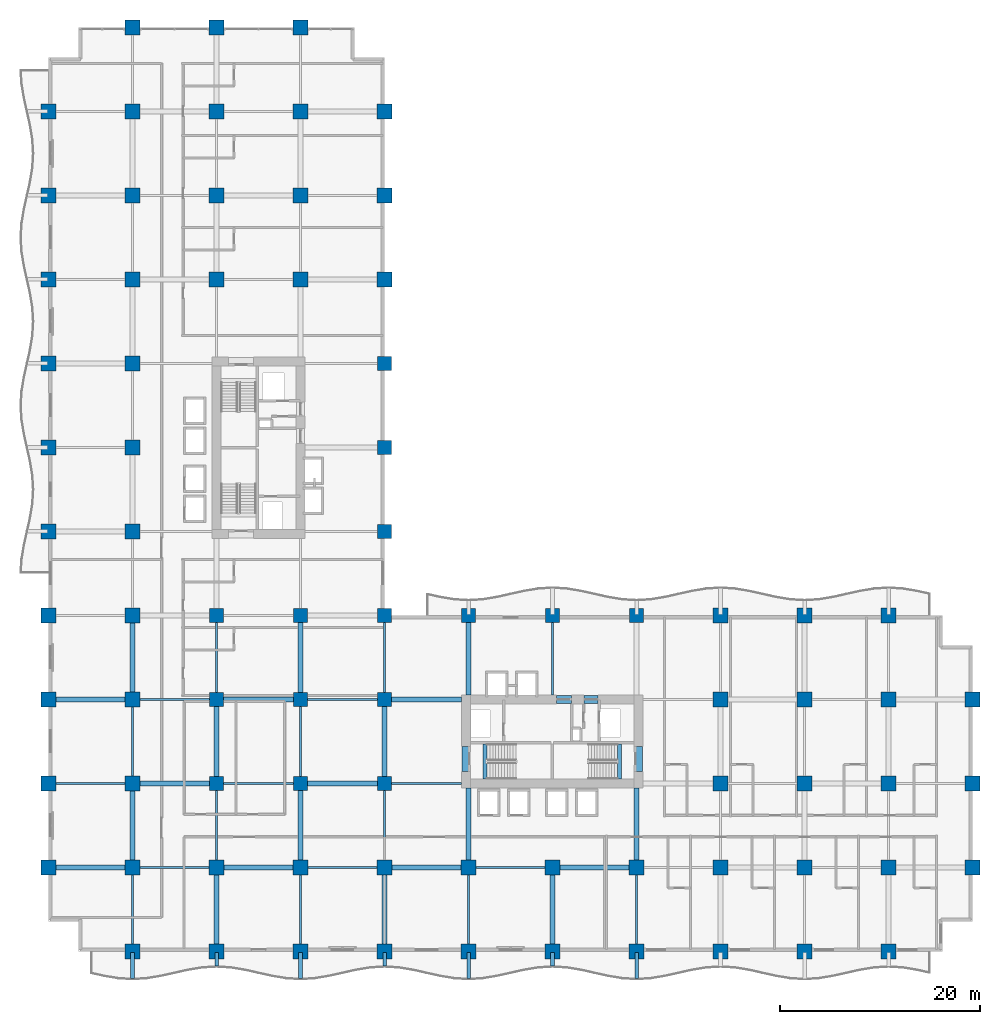
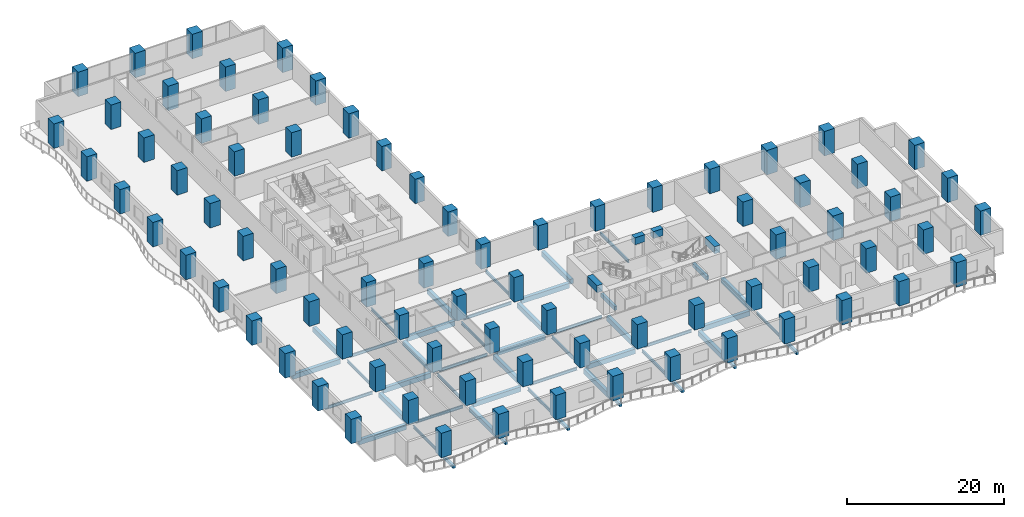
# One storey, part 1 of 21: 78 columns, 53 beams.
"""IFC4 building model written with IfcOpenShell, lengths in metres."""

from ifc_helpers import new_model, si_unit, direction, frame, origin, origin_2d, place, context, subcontext, project, spatial, rectangle, i_section, extrude, material, material_profile, profile_set, type_object, element, save


model = new_model("IFC4")

# Units and contexts
model_context = context("Model", 3, precision=1e-05, world=origin(), true_north=direction((0.0, 1.0)))
body_context = subcontext(model_context, "Body", "Model", "MODEL_VIEW")
ifc_project = project(units=[si_unit("LENGTHUNIT", "METRE"), si_unit("AREAUNIT", "SQUARE_METRE"), si_unit("VOLUMEUNIT", "CUBIC_METRE"), si_unit("PLANEANGLEUNIT", "RADIAN"), si_unit("MASSUNIT", "GRAM", prefix="KILO")], contexts=[model_context])

# Site, building, storey
site_placement = place(None, origin())
site = spatial("IfcSite", under=ifc_project, at=site_placement, CompositionType="ELEMENT")
building_placement = place(site_placement, origin())
building = spatial("IfcBuilding", under=site, at=building_placement, Name="Koriwani Terraces Tower", CompositionType="ELEMENT")
storey_placement = place(building_placement, frame((0.0, 0.0, 77.60009765625)))
storey = spatial("IfcBuildingStorey", under=building, at=storey_placement, Name="L18", CompositionType="ELEMENT", Elevation=77.60009765625)

# Columns
ifc_material_1 = material(Name="Concrete C60/75", Category="concrete")
ifc_material_profile_1 = material_profile(ifc_material_1, rectangle(XDim=1.39990234375, YDim=1.39990234375, at=origin_2d()), Name="Concrete C60/75", Category="LoadBearing")
ifc_profile_set_1 = profile_set([ifc_material_profile_1], Name="Concrete C60/75")
column_type_1 = type_object("IfcColumnType", Name="COL_RC_1400X1400", PredefinedType="COLUMN", material=ifc_profile_set_1)
for number, where, z_axis, x_axis, name in (
    (1, (16.800048828125, 16.800048828125, 0.0), (0.0, 0.0, 1.0), (1.0, 0.0, 0.0), "L18 Column 3/C"),
    (2, (16.800048828125, 25.199951171875, 0.0), (0.0, 0.0, 1.0), (1.0, 0.0, 0.0), "L18 Column 3/D"),
    (3, (16.800048828125, 33.60009765625, 0.0), (0.0, 0.0, 1.0), (1.0, 0.0, 0.0), "L18 Column 3/E"),
    (4, (25.199951171875, 16.800048828125, 0.0), (0.0, 0.0, 1.0), (1.0, 0.0, 0.0), "L18 Column 4/C"),
    (5, (25.199951171875, 25.199951171875, 0.0), (0.0, 0.0, 1.0), (1.0, 0.0, 0.0), "L18 Column 4/D"),
    (6, (25.199951171875, 33.60009765625, 0.0), (0.0, 0.0, 1.0), (1.0, 0.0, 0.0), "L18 Column 4/E"),
    (7, (33.60009765625, 16.800048828125, 0.0), (0.0, 0.0, 1.0), (1.0, 0.0, 0.0), "L18 Column 5/C"),
    (8, (33.60009765625, 25.199951171875, 0.0), (0.0, 0.0, 1.0), (1.0, 0.0, 0.0), "L18 Column 5/D"),
    (9, (33.60009765625, 33.60009765625, 0.0), (0.0, 0.0, 1.0), (1.0, 0.0, 0.0), "L18 Column 5/E"),
    (10, (33.60009765625, 42.0, 0.0), (0.0, 0.0, 1.0), (1.0, 0.0, 0.0), "L18 Column 5/F"),
    (11, (33.60009765625, 50.39990234375, 0.0), (0.0, 0.0, 1.0), (1.0, 0.0, 0.0), "L18 Column 5/G"),
    (12, (33.60009765625, 58.800048828125, 0.0), (0.0, 0.0, 1.0), (1.0, 0.0, 0.0), "L18 Column 5/H"),
    (13, (42.0, 33.60009765625, 0.0), (0.0, 0.0, 1.0), (1.0, 0.0, 0.0), "L18 Column 6/E"),
    (14, (50.39990234375, 33.60009765625, 0.0), (0.0, 0.0, 1.0), (1.0, 0.0, 0.0), "L18 Column 7/E"),
    (15, (58.800048828125, 33.60009765625, 0.0), (0.0, 0.0, 1.0), (1.0, 0.0, 0.0), "L18 Column 8/E"),
):
    element("IfcColumn", number, at=place(storey_placement, frame(where, z_axis=z_axis, x_axis=x_axis)), inside=storey, type_object=column_type_1, Name=name, PredefinedType="COLUMN", context=body_context, shape_type="SweptSolid", body=[
        extrude(rectangle(XDim=1.39990234375, YDim=1.39990234375, at=origin_2d()), origin(), (0.0, 0.0, 1.0), 3.7998046875),
    ])
ifc_material_profile_2 = material_profile(ifc_material_1, rectangle(XDim=1.5, YDim=1.5, at=origin_2d()), Name="Concrete C60/75", Category="LoadBearing")
ifc_profile_set_2 = profile_set([ifc_material_profile_2], Name="Concrete C60/75")
column_type_2 = type_object("IfcColumnType", Name="COL_RC_1500X1500", PredefinedType="COLUMN", material=ifc_profile_set_2)
for number, where, z_axis, x_axis, name in (
    (16, (0.0, 8.39990234375, 0.0), (0.0, 0.0, 1.0), (1.0, 0.0, 0.0), "L18 Column 1/B"),
    (17, (0.0, 16.800048828125, 0.0), (0.0, 0.0, 1.0), (1.0, 0.0, 0.0), "L18 Column 1/C"),
    (18, (0.0, 25.199951171875, 0.0), (0.0, 0.0, 1.0), (1.0, 0.0, 0.0), "L18 Column 1/D"),
    (19, (0.0, 33.60009765625, 0.0), (0.0, 0.0, 1.0), (1.0, 0.0, 0.0), "L18 Column 1/E"),
    (20, (0.0, 42.0, 0.0), (0.0, 0.0, 1.0), (1.0, 0.0, 0.0), "L18 Column 1/F"),
    (21, (0.0, 50.39990234375, 0.0), (0.0, 0.0, 1.0), (1.0, 0.0, 0.0), "L18 Column 1/G"),
    (22, (0.0, 58.800048828125, 0.0), (0.0, 0.0, 1.0), (1.0, 0.0, 0.0), "L18 Column 1/H"),
    (23, (0.0, 67.199951171875, 0.0), (0.0, 0.0, 1.0), (1.0, 0.0, 0.0), "L18 Column 1/I"),
    (24, (0.0, 75.60009765625, 0.0), (0.0, 0.0, 1.0), (1.0, 0.0, 0.0), "L18 Column 1/J"),
    (25, (0.0, 84.0, 0.0), (0.0, 0.0, 1.0), (1.0, 0.0, 0.0), "L18 Column 1/K"),
    (26, (8.39990234375, 0.0, 0.0), (0.0, 0.0, 1.0), (1.0, 0.0, 0.0), "L18 Column 2/A"),
    (27, (8.39990234375, 8.39990234375, 0.0), (0.0, 0.0, 1.0), (1.0, 0.0, 0.0), "L18 Column 2/B"),
    (28, (8.39990234375, 16.800048828125, 0.0), (0.0, 0.0, 1.0), (1.0, 0.0, 0.0), "L18 Column 2/C"),
    (29, (8.39990234375, 25.199951171875, 0.0), (0.0, 0.0, 1.0), (1.0, 0.0, 0.0), "L18 Column 2/D"),
    (30, (8.39990234375, 33.60009765625, 0.0), (0.0, 0.0, 1.0), (1.0, 0.0, 0.0), "L18 Column 2/E"),
    (31, (8.39990234375, 42.0, 0.0), (0.0, 0.0, 1.0), (1.0, 0.0, 0.0), "L18 Column 2/F"),
    (32, (8.39990234375, 50.39990234375, 0.0), (0.0, 0.0, 1.0), (1.0, 0.0, 0.0), "L18 Column 2/G"),
    (33, (8.39990234375, 58.800048828125, 0.0), (0.0, 0.0, 1.0), (1.0, 0.0, 0.0), "L18 Column 2/H"),
    (34, (8.39990234375, 67.199951171875, 0.0), (0.0, 0.0, 1.0), (1.0, 0.0, 0.0), "L18 Column 2/I"),
    (35, (8.39990234375, 75.60009765625, 0.0), (0.0, 0.0, 1.0), (1.0, 0.0, 0.0), "L18 Column 2/J"),
    (36, (8.39990234375, 84.0, 0.0), (0.0, 0.0, 1.0), (1.0, 0.0, 0.0), "L18 Column 2/K"),
    (37, (8.39990234375, 92.39990234375, 0.0), (0.0, 0.0, 1.0), (1.0, 0.0, 0.0), "L18 Column 2/L"),
    (38, (16.800048828125, 0.0, 0.0), (0.0, 0.0, 1.0), (1.0, 0.0, 0.0), "L18 Column 3/A"),
    (39, (16.800048828125, 8.39990234375, 0.0), (0.0, 0.0, 1.0), (1.0, 0.0, 0.0), "L18 Column 3/B"),
    (40, (16.800048828125, 67.199951171875, 0.0), (0.0, 0.0, 1.0), (1.0, 0.0, 0.0), "L18 Column 3/I"),
    (41, (16.800048828125, 75.60009765625, 0.0), (0.0, 0.0, 1.0), (1.0, 0.0, 0.0), "L18 Column 3/J"),
    (42, (16.800048828125, 84.0, 0.0), (0.0, 0.0, 1.0), (1.0, 0.0, 0.0), "L18 Column 3/K"),
    (43, (16.800048828125, 92.39990234375, 0.0), (0.0, 0.0, 1.0), (1.0, 0.0, 0.0), "L18 Column 3/L"),
    (44, (25.199951171875, 0.0, 0.0), (0.0, 0.0, 1.0), (1.0, 0.0, 0.0), "L18 Column 4/A"),
    (45, (25.199951171875, 8.39990234375, 0.0), (0.0, 0.0, 1.0), (1.0, 0.0, 0.0), "L18 Column 4/B"),
    (46, (25.199951171875, 67.199951171875, 0.0), (0.0, 0.0, 1.0), (1.0, 0.0, 0.0), "L18 Column 4/I"),
    (47, (25.199951171875, 75.60009765625, 0.0), (0.0, 0.0, 1.0), (1.0, 0.0, 0.0), "L18 Column 4/J"),
    (48, (25.199951171875, 84.0, 0.0), (0.0, 0.0, 1.0), (1.0, 0.0, 0.0), "L18 Column 4/K"),
    (49, (25.199951171875, 92.39990234375, 0.0), (0.0, 0.0, 1.0), (1.0, 0.0, 0.0), "L18 Column 4/L"),
    (50, (33.60009765625, 0.0, 0.0), (0.0, 0.0, 1.0), (1.0, 0.0, 0.0), "L18 Column 5/A"),
    (51, (33.60009765625, 8.39990234375, 0.0), (0.0, 0.0, 1.0), (1.0, 0.0, 0.0), "L18 Column 5/B"),
    (52, (33.60009765625, 67.199951171875, 0.0), (0.0, 0.0, 1.0), (1.0, 0.0, 0.0), "L18 Column 5/I"),
    (53, (33.60009765625, 75.60009765625, 0.0), (0.0, 0.0, 1.0), (1.0, 0.0, 0.0), "L18 Column 5/J"),
    (54, (33.60009765625, 84.0, 0.0), (0.0, 0.0, 1.0), (1.0, 0.0, 0.0), "L18 Column 5/K"),
    (55, (42.0, 0.0, 0.0), (0.0, 0.0, 1.0), (1.0, 0.0, 0.0), "L18 Column 6/A"),
    (56, (42.0, 8.39990234375, 0.0), (0.0, 0.0, 1.0), (1.0, 0.0, 0.0), "L18 Column 6/B"),
    (57, (50.39990234375, 0.0, 0.0), (0.0, 0.0, 1.0), (1.0, 0.0, 0.0), "L18 Column 7/A"),
    (58, (50.39990234375, 8.39990234375, 0.0), (0.0, 0.0, 1.0), (1.0, 0.0, 0.0), "L18 Column 7/B"),
    (59, (58.800048828125, 0.0, 0.0), (0.0, 0.0, 1.0), (1.0, 0.0, 0.0), "L18 Column 8/A"),
    (60, (58.800048828125, 8.39990234375, 0.0), (0.0, 0.0, 1.0), (1.0, 0.0, 0.0), "L18 Column 8/B"),
    (61, (67.199951171875, 0.0, 0.0), (0.0, 0.0, 1.0), (1.0, 0.0, 0.0), "L18 Column 9/A"),
    (62, (67.199951171875, 8.39990234375, 0.0), (0.0, 0.0, 1.0), (1.0, 0.0, 0.0), "L18 Column 9/B"),
    (63, (67.199951171875, 16.800048828125, 0.0), (0.0, 0.0, 1.0), (1.0, 0.0, 0.0), "L18 Column 9/C"),
    (64, (67.199951171875, 25.199951171875, 0.0), (0.0, 0.0, 1.0), (1.0, 0.0, 0.0), "L18 Column 9/D"),
    (65, (67.199951171875, 33.60009765625, 0.0), (0.0, 0.0, 1.0), (1.0, 0.0, 0.0), "L18 Column 9/E"),
    (66, (75.60009765625, 0.0, 0.0), (0.0, 0.0, 1.0), (1.0, 0.0, 0.0), "L18 Column 10/A"),
    (67, (75.60009765625, 8.39990234375, 0.0), (0.0, 0.0, 1.0), (1.0, 0.0, 0.0), "L18 Column 10/B"),
    (68, (75.60009765625, 16.800048828125, 0.0), (0.0, 0.0, 1.0), (1.0, 0.0, 0.0), "L18 Column 10/C"),
    (69, (75.60009765625, 25.199951171875, 0.0), (0.0, 0.0, 1.0), (1.0, 0.0, 0.0), "L18 Column 10/D"),
    (70, (75.60009765625, 33.60009765625, 0.0), (0.0, 0.0, 1.0), (1.0, 0.0, 0.0), "L18 Column 10/E"),
    (71, (84.0, 0.0, 0.0), (0.0, 0.0, 1.0), (1.0, 0.0, 0.0), "L18 Column 11/A"),
    (72, (84.0, 8.39990234375, 0.0), (0.0, 0.0, 1.0), (1.0, 0.0, 0.0), "L18 Column 11/B"),
    (73, (84.0, 16.800048828125, 0.0), (0.0, 0.0, 1.0), (1.0, 0.0, 0.0), "L18 Column 11/C"),
    (74, (84.0, 25.199951171875, 0.0), (0.0, 0.0, 1.0), (1.0, 0.0, 0.0), "L18 Column 11/D"),
    (75, (84.0, 33.60009765625, 0.0), (0.0, 0.0, 1.0), (1.0, 0.0, 0.0), "L18 Column 11/E"),
    (76, (92.39990234375, 8.39990234375, 0.0), (0.0, 0.0, 1.0), (1.0, 0.0, 0.0), "L18 Column 12/B"),
    (77, (92.39990234375, 16.800048828125, 0.0), (0.0, 0.0, 1.0), (1.0, 0.0, 0.0), "L18 Column 12/C"),
    (78, (92.39990234375, 25.199951171875, 0.0), (0.0, 0.0, 1.0), (1.0, 0.0, 0.0), "L18 Column 12/D"),
):
    element("IfcColumn", number, at=place(storey_placement, frame(where, z_axis=z_axis, x_axis=x_axis)), inside=storey, type_object=column_type_2, Name=name, PredefinedType="COLUMN", context=body_context, shape_type="SweptSolid", body=[
        extrude(rectangle(XDim=1.5, YDim=1.5, at=origin_2d()), origin(), (0.0, 0.0, 1.0), 3.7998046875),
    ])

# Beams
ifc_material_2 = material(Name="Concrete C40/50", Category="concrete")
ifc_material_profile_3 = material_profile(ifc_material_2, rectangle(XDim=0.35009765625, YDim=0.449951171875, at=origin_2d()), Name="Concrete C40/50", Category="LoadBearing")
ifc_profile_set_3 = profile_set([ifc_material_profile_3], Name="Concrete C40/50")
beam_type_1 = type_object("IfcBeamType", Name="BEAM_RC_BALCONY_RIB_350X450", PredefinedType="JOIST", material=ifc_profile_set_3)
beam_1_placement = place(storey_placement, frame((8.39990234375, -2.699951171875, -0.47509765625), z_axis=(0.0, 1.0, 0.0), x_axis=(-1.0, 0.0, 0.0)))
element("IfcBeam", 79, at=beam_1_placement, inside=storey, type_object=beam_type_1, Name="L18 Balcony Bracket Rib S-1", PredefinedType="JOIST", context=body_context, shape_type="SweptSolid", body=[
    extrude(rectangle(XDim=0.35009765625, YDim=0.449951171875, at=origin_2d()), origin(), (0.0, 0.0, 1.0), 2.599853515625),
])
beam_2_placement = place(storey_placement, frame((16.800048828125, -1.449951171875, -0.47509765625), z_axis=(0.0, 1.0, 0.0), x_axis=(-1.0, 0.0, 0.0)))
element("IfcBeam", 80, at=beam_2_placement, inside=storey, type_object=beam_type_1, Name="L18 Balcony Bracket Rib S-2", PredefinedType="JOIST", context=body_context, shape_type="SweptSolid", body=[
    extrude(rectangle(XDim=0.35009765625, YDim=0.449951171875, at=origin_2d()), origin(), (0.0, 0.0, 1.0), 1.349853515625),
])
beam_3_placement = place(storey_placement, frame((25.199951171875, -2.699951171875, -0.47509765625), z_axis=(0.0, 1.0, 0.0), x_axis=(-1.0, 0.0, 0.0)))
element("IfcBeam", 81, at=beam_3_placement, inside=storey, type_object=beam_type_1, Name="L18 Balcony Bracket Rib S-3", PredefinedType="JOIST", context=body_context, shape_type="SweptSolid", body=[
    extrude(rectangle(XDim=0.35009765625, YDim=0.449951171875, at=origin_2d()), origin(), (0.0, 0.0, 1.0), 2.599853515625),
])
beam_4_placement = place(storey_placement, frame((33.60009765625, -1.449951171875, -0.47509765625), z_axis=(0.0, 1.0, 0.0), x_axis=(-1.0, 0.0, 0.0)))
element("IfcBeam", 82, at=beam_4_placement, inside=storey, type_object=beam_type_1, Name="L18 Balcony Bracket Rib S-4", PredefinedType="JOIST", context=body_context, shape_type="SweptSolid", body=[
    extrude(rectangle(XDim=0.35009765625, YDim=0.449951171875, at=origin_2d()), origin(), (0.0, 0.0, 1.0), 1.349853515625),
])
beam_5_placement = place(storey_placement, frame((42.0, -2.699951171875, -0.47509765625), z_axis=(0.0, 1.0, 0.0), x_axis=(-1.0, 0.0, 0.0)))
element("IfcBeam", 83, at=beam_5_placement, inside=storey, type_object=beam_type_1, Name="L18 Balcony Bracket Rib S-5", PredefinedType="JOIST", context=body_context, shape_type="SweptSolid", body=[
    extrude(rectangle(XDim=0.35009765625, YDim=0.449951171875, at=origin_2d()), origin(), (0.0, 0.0, 1.0), 2.599853515625),
])
beam_6_placement = place(storey_placement, frame((50.39990234375, -1.449951171875, -0.47509765625), z_axis=(0.0, 1.0, 0.0), x_axis=(-1.0, 0.0, 0.0)))
element("IfcBeam", 84, at=beam_6_placement, inside=storey, type_object=beam_type_1, Name="L18 Balcony Bracket Rib S-6", PredefinedType="JOIST", context=body_context, shape_type="SweptSolid", body=[
    extrude(rectangle(XDim=0.35009765625, YDim=0.449951171875, at=origin_2d()), origin(), (0.0, 0.0, 1.0), 1.349853515625),
])
beam_7_placement = place(storey_placement, frame((58.800048828125, -2.699951171875, -0.47509765625), z_axis=(0.0, 1.0, 0.0), x_axis=(-1.0, 0.0, 0.0)))
element("IfcBeam", 85, at=beam_7_placement, inside=storey, type_object=beam_type_1, Name="L18 Balcony Bracket Rib S-7", PredefinedType="JOIST", context=body_context, shape_type="SweptSolid", body=[
    extrude(rectangle(XDim=0.35009765625, YDim=0.449951171875, at=origin_2d()), origin(), (0.0, 0.0, 1.0), 2.599853515625),
])
ifc_material_profile_4 = material_profile(ifc_material_1, rectangle(XDim=0.800048828125, YDim=1.10009765625, at=origin_2d()), Name="Concrete C60/75", Category="LoadBearing")
ifc_profile_set_4 = profile_set([ifc_material_profile_4], Name="Concrete C60/75")
beam_type_2 = type_object("IfcBeamType", Name="BEAM_RC_COUPLING_800X1100", PredefinedType="LINTEL", material=ifc_profile_set_4)
beam_8_placement = place(storey_placement, frame((50.800048828125, 25.199951171875, 3.0), z_axis=(1.0, 0.0, 0.0), x_axis=(0.0, 1.0, 0.0)))
element("IfcBeam", 86, at=beam_8_placement, inside=storey, type_object=beam_type_2, Name="L18 Core Coupling Lintel Beam EN1", PredefinedType="LINTEL", context=body_context, shape_type="SweptSolid", body=[
    extrude(rectangle(XDim=0.800048828125, YDim=1.10009765625, at=origin_2d()), origin(), (0.0, 0.0, 1.0), 1.47998046875),
])
beam_9_placement = place(storey_placement, frame((53.550048828125, 25.199951171875, 3.0), z_axis=(1.0, 0.0, 0.0), x_axis=(0.0, 1.0, 0.0)))
element("IfcBeam", 87, at=beam_9_placement, inside=storey, type_object=beam_type_2, Name="L18 Core Coupling Lintel Beam EN2", PredefinedType="LINTEL", context=body_context, shape_type="SweptSolid", body=[
    extrude(rectangle(XDim=0.800048828125, YDim=1.10009765625, at=origin_2d()), origin(), (0.0, 0.0, 1.0), 1.39990234375),
])
for number, where, z_axis, x_axis, name in (
    (88, (41.75, 18.0, 3.0), (0.0, 1.0, 0.0), (-1.0, 0.0, 0.0), "L18 Core Coupling Lintel Beam EW"),
    (89, (59.0, 18.0, 3.0), (0.0, 1.0, 0.0), (-1.0, 0.0, 0.0), "L18 Core Coupling Lintel Beam EE"),
):
    element("IfcBeam", number, at=place(storey_placement, frame(where, z_axis=z_axis, x_axis=x_axis)), inside=storey, type_object=beam_type_2, Name=name, PredefinedType="LINTEL", context=body_context, shape_type="SweptSolid", body=[
        extrude(rectangle(XDim=0.800048828125, YDim=1.10009765625, at=origin_2d()), origin(), (0.0, 0.0, 1.0), 2.5),
    ])
ifc_material_profile_5 = material_profile(ifc_material_2, rectangle(XDim=0.39990234375, YDim=0.60009765625, at=origin_2d()), Name="Concrete C40/50", Category="LoadBearing")
ifc_profile_set_5 = profile_set([ifc_material_profile_5], Name="Concrete C40/50")
beam_type_3 = type_object("IfcBeamType", Name="BEAM_RC_GRID_400X600", PredefinedType="BEAM", material=ifc_profile_set_5)
for number, where, z_axis, x_axis, name in (
    (90, (43.655029296875, 17.25, -0.300048828125), (0.0, 1.0, 0.0), (-1.0, 0.0, 0.0), "L18 Stairwell Header Trimmer Beam ST-E1"),
    (91, (57.094970703125, 17.25, -0.300048828125), (0.0, 1.0, 0.0), (-1.0, 0.0, 0.0), "L18 Stairwell Header Trimmer Beam ST-E2"),
):
    element("IfcBeam", number, at=place(storey_placement, frame(where, z_axis=z_axis, x_axis=x_axis)), inside=storey, type_object=beam_type_3, Name=name, PredefinedType="BEAM", context=body_context, shape_type="SweptSolid", body=[
        extrude(rectangle(XDim=0.39990234375, YDim=0.60009765625, at=origin_2d()), origin(), (0.0, 0.0, 1.0), 3.5),
    ])
ifc_material_3 = material(Name="Concrete C50/60", Category="concrete")
ifc_material_profile_6 = material_profile(ifc_material_3, rectangle(XDim=0.5, YDim=0.75, at=origin_2d()), Name="Concrete C50/60", Category="LoadBearing")
ifc_profile_set_6 = profile_set([ifc_material_profile_6], Name="Concrete C50/60")
beam_type_4 = type_object("IfcBeamType", Name="BEAM_RC_GRID_500X750", PredefinedType="BEAM", material=ifc_profile_set_6)
for number, where, z_axis, x_axis, name in (
    (92, (0.72998046875, 8.39990234375, -0.625), (1.0, 0.0, 0.0), (0.0, 1.0, 0.0), "L18 Grid Beam B (0.0-8.4m)"),
    (93, (17.530029296875, 8.39990234375, -0.625), (1.0, 0.0, 0.0), (0.0, 1.0, 0.0), "L18 Grid Beam B (16.8-25.2m)"),
    (94, (34.330078125, 8.39990234375, -0.625), (1.0, 0.0, 0.0), (0.0, 1.0, 0.0), "L18 Grid Beam B (33.6-42.0m)"),
):
    element("IfcBeam", number, at=place(storey_placement, frame(where, z_axis=z_axis, x_axis=x_axis)), inside=storey, type_object=beam_type_4, Name=name, PredefinedType="BEAM", context=body_context, shape_type="SweptSolid", body=[
        extrude(rectangle(XDim=0.5, YDim=0.75, at=origin_2d()), origin(), (0.0, 0.0, 1.0), 6.93994140625),
    ])
beam_10_placement = place(storey_placement, frame((51.1298828125, 8.39990234375, -0.625), z_axis=(1.0, 0.0, 0.0), x_axis=(0.0, 1.0, 0.0)))
element("IfcBeam", 95, at=beam_10_placement, inside=storey, type_object=beam_type_4, Name="L18 Grid Beam B (50.4-58.8m)", PredefinedType="BEAM", context=body_context, shape_type="SweptSolid", body=[
    extrude(rectangle(XDim=0.5, YDim=0.75, at=origin_2d()), origin(), (0.0, 0.0, 1.0), 6.940185546875),
])
beam_11_placement = place(storey_placement, frame((9.1298828125, 16.800048828125, -0.625), z_axis=(1.0, 0.0, 0.0), x_axis=(0.0, 1.0, 0.0)))
element("IfcBeam", 96, at=beam_11_placement, inside=storey, type_object=beam_type_4, Name="L18 Grid Beam C (8.4-16.8m)", PredefinedType="BEAM", context=body_context, shape_type="SweptSolid", body=[
    extrude(rectangle(XDim=0.5, YDim=0.75, at=origin_2d()), origin(), (0.0, 0.0, 1.0), 6.990234375),
])
beam_12_placement = place(storey_placement, frame((25.8798828125, 16.800048828125, -0.625), z_axis=(1.0, 0.0, 0.0), x_axis=(0.0, 1.0, 0.0)))
element("IfcBeam", 97, at=beam_12_placement, inside=storey, type_object=beam_type_4, Name="L18 Grid Beam C (25.2-33.6m)", PredefinedType="BEAM", context=body_context, shape_type="SweptSolid", body=[
    extrude(rectangle(XDim=0.5, YDim=0.75, at=origin_2d()), origin(), (0.0, 0.0, 1.0), 7.0400390625),
])
beam_13_placement = place(storey_placement, frame((0.72998046875, 25.199951171875, -0.625), z_axis=(1.0, 0.0, 0.0), x_axis=(0.0, 1.0, 0.0)))
element("IfcBeam", 98, at=beam_13_placement, inside=storey, type_object=beam_type_4, Name="L18 Grid Beam D (0.0-8.4m)", PredefinedType="BEAM", context=body_context, shape_type="SweptSolid", body=[
    extrude(rectangle(XDim=0.5, YDim=0.75, at=origin_2d()), origin(), (0.0, 0.0, 1.0), 6.93994140625),
])
for number, where, z_axis, x_axis, name in (
    (99, (17.47998046875, 25.199951171875, -0.625), (1.0, 0.0, 0.0), (0.0, 1.0, 0.0), "L18 Grid Beam D (16.8-25.2m)"),
    (100, (34.280029296875, 25.199951171875, -0.625), (1.0, 0.0, 0.0), (0.0, 1.0, 0.0), "L18 Grid Beam D (33.6-42.0m)"),
):
    element("IfcBeam", number, at=place(storey_placement, frame(where, z_axis=z_axis, x_axis=x_axis)), inside=storey, type_object=beam_type_4, Name=name, PredefinedType="BEAM", context=body_context, shape_type="SweptSolid", body=[
        extrude(rectangle(XDim=0.5, YDim=0.75, at=origin_2d()), origin(), (0.0, 0.0, 1.0), 7.0400390625),
    ])
for number, where, z_axis, x_axis, name in (
    (101, (8.39990234375, 9.1298828125, -0.625), (0.0, 1.0, 0.0), (-1.0, 0.0, 0.0), "L18 Grid Beam 2 (8.4-16.8m)"),
    (102, (8.39990234375, 25.929931640625, -0.625), (0.0, 1.0, 0.0), (-1.0, 0.0, 0.0), "L18 Grid Beam 2 (25.2-33.6m)"),
):
    element("IfcBeam", number, at=place(storey_placement, frame(where, z_axis=z_axis, x_axis=x_axis)), inside=storey, type_object=beam_type_4, Name=name, PredefinedType="BEAM", context=body_context, shape_type="SweptSolid", body=[
        extrude(rectangle(XDim=0.5, YDim=0.75, at=origin_2d()), origin(), (0.0, 0.0, 1.0), 6.940185546875),
    ])
beam_14_placement = place(storey_placement, frame((16.800048828125, 0.72998046875, -0.625), z_axis=(0.0, 1.0, 0.0), x_axis=(-1.0, 0.0, 0.0)))
element("IfcBeam", 103, at=beam_14_placement, inside=storey, type_object=beam_type_4, Name="L18 Grid Beam 3 (0.0-8.4m)", PredefinedType="BEAM", context=body_context, shape_type="SweptSolid", body=[
    extrude(rectangle(XDim=0.5, YDim=0.75, at=origin_2d()), origin(), (0.0, 0.0, 1.0), 6.93994140625),
])
beam_15_placement = place(storey_placement, frame((16.800048828125, 17.47998046875, -0.625), z_axis=(0.0, 1.0, 0.0), x_axis=(-1.0, 0.0, 0.0)))
element("IfcBeam", 104, at=beam_15_placement, inside=storey, type_object=beam_type_4, Name="L18 Grid Beam 3 (16.8-25.2m)", PredefinedType="BEAM", context=body_context, shape_type="SweptSolid", body=[
    extrude(rectangle(XDim=0.5, YDim=0.75, at=origin_2d()), origin(), (0.0, 0.0, 1.0), 7.0400390625),
])
beam_16_placement = place(storey_placement, frame((25.199951171875, 9.1298828125, -0.625), z_axis=(0.0, 1.0, 0.0), x_axis=(-1.0, 0.0, 0.0)))
element("IfcBeam", 105, at=beam_16_placement, inside=storey, type_object=beam_type_4, Name="L18 Grid Beam 4 (8.4-16.8m)", PredefinedType="BEAM", context=body_context, shape_type="SweptSolid", body=[
    extrude(rectangle(XDim=0.5, YDim=0.75, at=origin_2d()), origin(), (0.0, 0.0, 1.0), 6.990234375),
])
beam_17_placement = place(storey_placement, frame((25.199951171875, 25.8798828125, -0.625), z_axis=(0.0, 1.0, 0.0), x_axis=(-1.0, 0.0, 0.0)))
element("IfcBeam", 106, at=beam_17_placement, inside=storey, type_object=beam_type_4, Name="L18 Grid Beam 4 (25.2-33.6m)", PredefinedType="BEAM", context=body_context, shape_type="SweptSolid", body=[
    extrude(rectangle(XDim=0.5, YDim=0.75, at=origin_2d()), origin(), (0.0, 0.0, 1.0), 7.0400390625),
])
beam_18_placement = place(storey_placement, frame((33.60009765625, 0.72998046875, -0.625), z_axis=(0.0, 1.0, 0.0), x_axis=(-1.0, 0.0, 0.0)))
element("IfcBeam", 107, at=beam_18_placement, inside=storey, type_object=beam_type_4, Name="L18 Grid Beam 5 (0.0-8.4m)", PredefinedType="BEAM", context=body_context, shape_type="SweptSolid", body=[
    extrude(rectangle(XDim=0.5, YDim=0.75, at=origin_2d()), origin(), (0.0, 0.0, 1.0), 6.93994140625),
])
beam_19_placement = place(storey_placement, frame((33.60009765625, 17.47998046875, -0.625), z_axis=(0.0, 1.0, 0.0), x_axis=(-1.0, 0.0, 0.0)))
element("IfcBeam", 108, at=beam_19_placement, inside=storey, type_object=beam_type_4, Name="L18 Grid Beam 5 (16.8-25.2m)", PredefinedType="BEAM", context=body_context, shape_type="SweptSolid", body=[
    extrude(rectangle(XDim=0.5, YDim=0.75, at=origin_2d()), origin(), (0.0, 0.0, 1.0), 7.0400390625),
])
beam_20_placement = place(storey_placement, frame((42.0, 9.1298828125, -0.625), z_axis=(0.0, 1.0, 0.0), x_axis=(-1.0, 0.0, 0.0)))
element("IfcBeam", 109, at=beam_20_placement, inside=storey, type_object=beam_type_4, Name="L18 Grid Beam 6 (8.4-16.8m)", PredefinedType="BEAM", context=body_context, shape_type="SweptSolid", body=[
    extrude(rectangle(XDim=0.5, YDim=0.75, at=origin_2d()), origin(), (0.0, 0.0, 1.0), 7.240234375),
])
beam_21_placement = place(storey_placement, frame((42.0, 25.6298828125, -0.625), z_axis=(0.0, 1.0, 0.0), x_axis=(-1.0, 0.0, 0.0)))
element("IfcBeam", 110, at=beam_21_placement, inside=storey, type_object=beam_type_4, Name="L18 Grid Beam 6 (25.2-33.6m)", PredefinedType="BEAM", context=body_context, shape_type="SweptSolid", body=[
    extrude(rectangle(XDim=0.5, YDim=0.75, at=origin_2d()), origin(), (0.0, 0.0, 1.0), 7.2900390625),
])
beam_22_placement = place(storey_placement, frame((50.39990234375, 0.72998046875, -0.625), z_axis=(0.0, 1.0, 0.0), x_axis=(-1.0, 0.0, 0.0)))
element("IfcBeam", 111, at=beam_22_placement, inside=storey, type_object=beam_type_4, Name="L18 Grid Beam 7 (0.0-8.4m)", PredefinedType="BEAM", context=body_context, shape_type="SweptSolid", body=[
    extrude(rectangle(XDim=0.5, YDim=0.75, at=origin_2d()), origin(), (0.0, 0.0, 1.0), 6.93994140625),
])
beam_23_placement = place(storey_placement, frame((58.800048828125, 9.1298828125, -0.625), z_axis=(0.0, 1.0, 0.0), x_axis=(-1.0, 0.0, 0.0)))
element("IfcBeam", 112, at=beam_23_placement, inside=storey, type_object=beam_type_4, Name="L18 Grid Beam 8 (8.4-16.8m)", PredefinedType="BEAM", context=body_context, shape_type="SweptSolid", body=[
    extrude(rectangle(XDim=0.5, YDim=0.75, at=origin_2d()), origin(), (0.0, 0.0, 1.0), 7.240234375),
])
ifc_material_4 = material(Name="Steel ASTM A572 Grade 50", Category="steel")
ifc_material_profile_7 = material_profile(ifc_material_4, i_section(OverallWidth=0.193115234375, OverallDepth=0.462890625, WebThickness=0.0107421875, FlangeThickness=0.017333984375, at=origin_2d()), Name="Steel ASTM A572 Grade 50", Category="LoadBearing")
ifc_profile_set_7 = profile_set([ifc_material_profile_7], Name="Steel ASTM A572 Grade 50")
beam_type_5 = type_object("IfcBeamType", Name="STEEL_BEAM_W460X113", PredefinedType="BEAM", material=ifc_profile_set_7)
for number, where, z_axis, x_axis, name in (
    (113, (9.1298828125, 8.39990234375, -0.481689453125), (1.0, 0.0, 0.0), (0.0, 1.0, 0.0), "L18 Grid Beam B (8.4-16.8m)"),
    (114, (25.929931640625, 8.39990234375, -0.481689453125), (1.0, 0.0, 0.0), (0.0, 1.0, 0.0), "L18 Grid Beam B (25.2-33.6m)"),
):
    element("IfcBeam", number, at=place(storey_placement, frame(where, z_axis=z_axis, x_axis=x_axis)), inside=storey, type_object=beam_type_5, Name=name, PredefinedType="BEAM", context=body_context, shape_type="SweptSolid", body=[
        extrude(i_section(OverallWidth=0.193115234375, OverallDepth=0.462890625, WebThickness=0.0107421875, FlangeThickness=0.017333984375, at=origin_2d()), origin(), (0.0, 0.0, 1.0), 6.940185546875),
    ])
for number, where, z_axis, x_axis, name in (
    (115, (42.72998046875, 8.39990234375, -0.481689453125), (1.0, 0.0, 0.0), (0.0, 1.0, 0.0), "L18 Grid Beam B (42.0-50.4m)"),
    (116, (0.72998046875, 16.800048828125, -0.481689453125), (1.0, 0.0, 0.0), (0.0, 1.0, 0.0), "L18 Grid Beam C (0.0-8.4m)"),
):
    element("IfcBeam", number, at=place(storey_placement, frame(where, z_axis=z_axis, x_axis=x_axis)), inside=storey, type_object=beam_type_5, Name=name, PredefinedType="BEAM", context=body_context, shape_type="SweptSolid", body=[
        extrude(i_section(OverallWidth=0.193115234375, OverallDepth=0.462890625, WebThickness=0.0107421875, FlangeThickness=0.017333984375, at=origin_2d()), origin(), (0.0, 0.0, 1.0), 6.93994140625),
    ])
for number, where, z_axis, x_axis, name in (
    (117, (17.47998046875, 16.800048828125, -0.481689453125), (1.0, 0.0, 0.0), (0.0, 1.0, 0.0), "L18 Grid Beam C (16.8-25.2m)"),
    (118, (34.280029296875, 16.800048828125, -0.481689453125), (1.0, 0.0, 0.0), (0.0, 1.0, 0.0), "L18 Grid Beam C (33.6-42.0m)"),
):
    element("IfcBeam", number, at=place(storey_placement, frame(where, z_axis=z_axis, x_axis=x_axis)), inside=storey, type_object=beam_type_5, Name=name, PredefinedType="BEAM", context=body_context, shape_type="SweptSolid", body=[
        extrude(i_section(OverallWidth=0.193115234375, OverallDepth=0.462890625, WebThickness=0.0107421875, FlangeThickness=0.017333984375, at=origin_2d()), origin(), (0.0, 0.0, 1.0), 7.0400390625),
    ])
beam_24_placement = place(storey_placement, frame((9.1298828125, 25.199951171875, -0.481689453125), z_axis=(1.0, 0.0, 0.0), x_axis=(0.0, 1.0, 0.0)))
element("IfcBeam", 119, at=beam_24_placement, inside=storey, type_object=beam_type_5, Name="L18 Grid Beam D (8.4-16.8m)", PredefinedType="BEAM", context=body_context, shape_type="SweptSolid", body=[
    extrude(i_section(OverallWidth=0.193115234375, OverallDepth=0.462890625, WebThickness=0.0107421875, FlangeThickness=0.017333984375, at=origin_2d()), origin(), (0.0, 0.0, 1.0), 6.990234375),
])
beam_25_placement = place(storey_placement, frame((25.8798828125, 25.199951171875, -0.481689453125), z_axis=(1.0, 0.0, 0.0), x_axis=(0.0, 1.0, 0.0)))
element("IfcBeam", 120, at=beam_25_placement, inside=storey, type_object=beam_type_5, Name="L18 Grid Beam D (25.2-33.6m)", PredefinedType="BEAM", context=body_context, shape_type="SweptSolid", body=[
    extrude(i_section(OverallWidth=0.193115234375, OverallDepth=0.462890625, WebThickness=0.0107421875, FlangeThickness=0.017333984375, at=origin_2d()), origin(), (0.0, 0.0, 1.0), 7.0400390625),
])
for number, where, z_axis, x_axis, name in (
    (121, (8.39990234375, 0.72998046875, -0.481689453125), (0.0, 1.0, 0.0), (-1.0, 0.0, 0.0), "L18 Grid Beam 2 (0.0-8.4m)"),
    (122, (8.39990234375, 17.530029296875, -0.481689453125), (0.0, 1.0, 0.0), (-1.0, 0.0, 0.0), "L18 Grid Beam 2 (16.8-25.2m)"),
):
    element("IfcBeam", number, at=place(storey_placement, frame(where, z_axis=z_axis, x_axis=x_axis)), inside=storey, type_object=beam_type_5, Name=name, PredefinedType="BEAM", context=body_context, shape_type="SweptSolid", body=[
        extrude(i_section(OverallWidth=0.193115234375, OverallDepth=0.462890625, WebThickness=0.0107421875, FlangeThickness=0.017333984375, at=origin_2d()), origin(), (0.0, 0.0, 1.0), 6.93994140625),
    ])
beam_26_placement = place(storey_placement, frame((16.800048828125, 9.1298828125, -0.481689453125), z_axis=(0.0, 1.0, 0.0), x_axis=(-1.0, 0.0, 0.0)))
element("IfcBeam", 123, at=beam_26_placement, inside=storey, type_object=beam_type_5, Name="L18 Grid Beam 3 (8.4-16.8m)", PredefinedType="BEAM", context=body_context, shape_type="SweptSolid", body=[
    extrude(i_section(OverallWidth=0.193115234375, OverallDepth=0.462890625, WebThickness=0.0107421875, FlangeThickness=0.017333984375, at=origin_2d()), origin(), (0.0, 0.0, 1.0), 6.990234375),
])
beam_27_placement = place(storey_placement, frame((16.800048828125, 25.8798828125, -0.481689453125), z_axis=(0.0, 1.0, 0.0), x_axis=(-1.0, 0.0, 0.0)))
element("IfcBeam", 124, at=beam_27_placement, inside=storey, type_object=beam_type_5, Name="L18 Grid Beam 3 (25.2-33.6m)", PredefinedType="BEAM", context=body_context, shape_type="SweptSolid", body=[
    extrude(i_section(OverallWidth=0.193115234375, OverallDepth=0.462890625, WebThickness=0.0107421875, FlangeThickness=0.017333984375, at=origin_2d()), origin(), (0.0, 0.0, 1.0), 7.0400390625),
])
beam_28_placement = place(storey_placement, frame((25.199951171875, 0.72998046875, -0.481689453125), z_axis=(0.0, 1.0, 0.0), x_axis=(-1.0, 0.0, 0.0)))
element("IfcBeam", 125, at=beam_28_placement, inside=storey, type_object=beam_type_5, Name="L18 Grid Beam 4 (0.0-8.4m)", PredefinedType="BEAM", context=body_context, shape_type="SweptSolid", body=[
    extrude(i_section(OverallWidth=0.193115234375, OverallDepth=0.462890625, WebThickness=0.0107421875, FlangeThickness=0.017333984375, at=origin_2d()), origin(), (0.0, 0.0, 1.0), 6.93994140625),
])
beam_29_placement = place(storey_placement, frame((25.199951171875, 17.47998046875, -0.481689453125), z_axis=(0.0, 1.0, 0.0), x_axis=(-1.0, 0.0, 0.0)))
element("IfcBeam", 126, at=beam_29_placement, inside=storey, type_object=beam_type_5, Name="L18 Grid Beam 4 (16.8-25.2m)", PredefinedType="BEAM", context=body_context, shape_type="SweptSolid", body=[
    extrude(i_section(OverallWidth=0.193115234375, OverallDepth=0.462890625, WebThickness=0.0107421875, FlangeThickness=0.017333984375, at=origin_2d()), origin(), (0.0, 0.0, 1.0), 7.0400390625),
])
beam_30_placement = place(storey_placement, frame((33.60009765625, 9.1298828125, -0.481689453125), z_axis=(0.0, 1.0, 0.0), x_axis=(-1.0, 0.0, 0.0)))
element("IfcBeam", 127, at=beam_30_placement, inside=storey, type_object=beam_type_5, Name="L18 Grid Beam 5 (8.4-16.8m)", PredefinedType="BEAM", context=body_context, shape_type="SweptSolid", body=[
    extrude(i_section(OverallWidth=0.193115234375, OverallDepth=0.462890625, WebThickness=0.0107421875, FlangeThickness=0.017333984375, at=origin_2d()), origin(), (0.0, 0.0, 1.0), 6.990234375),
])
beam_31_placement = place(storey_placement, frame((33.60009765625, 25.8798828125, -0.481689453125), z_axis=(0.0, 1.0, 0.0), x_axis=(-1.0, 0.0, 0.0)))
element("IfcBeam", 128, at=beam_31_placement, inside=storey, type_object=beam_type_5, Name="L18 Grid Beam 5 (25.2-33.6m)", PredefinedType="BEAM", context=body_context, shape_type="SweptSolid", body=[
    extrude(i_section(OverallWidth=0.193115234375, OverallDepth=0.462890625, WebThickness=0.0107421875, FlangeThickness=0.017333984375, at=origin_2d()), origin(), (0.0, 0.0, 1.0), 7.0400390625),
])
beam_32_placement = place(storey_placement, frame((42.0, 0.72998046875, -0.481689453125), z_axis=(0.0, 1.0, 0.0), x_axis=(-1.0, 0.0, 0.0)))
element("IfcBeam", 129, at=beam_32_placement, inside=storey, type_object=beam_type_5, Name="L18 Grid Beam 6 (0.0-8.4m)", PredefinedType="BEAM", context=body_context, shape_type="SweptSolid", body=[
    extrude(i_section(OverallWidth=0.193115234375, OverallDepth=0.462890625, WebThickness=0.0107421875, FlangeThickness=0.017333984375, at=origin_2d()), origin(), (0.0, 0.0, 1.0), 6.93994140625),
])
beam_33_placement = place(storey_placement, frame((50.39990234375, 25.6298828125, -0.481689453125), z_axis=(0.0, 1.0, 0.0), x_axis=(-1.0, 0.0, 0.0)))
element("IfcBeam", 130, at=beam_33_placement, inside=storey, type_object=beam_type_5, Name="L18 Grid Beam 7 (25.2-33.6m)", PredefinedType="BEAM", context=body_context, shape_type="SweptSolid", body=[
    extrude(i_section(OverallWidth=0.193115234375, OverallDepth=0.462890625, WebThickness=0.0107421875, FlangeThickness=0.017333984375, at=origin_2d()), origin(), (0.0, 0.0, 1.0), 7.2900390625),
])
beam_34_placement = place(storey_placement, frame((58.800048828125, 0.72998046875, -0.481689453125), z_axis=(0.0, 1.0, 0.0), x_axis=(-1.0, 0.0, 0.0)))
element("IfcBeam", 131, at=beam_34_placement, inside=storey, type_object=beam_type_5, Name="L18 Grid Beam 8 (0.0-8.4m)", PredefinedType="BEAM", context=body_context, shape_type="SweptSolid", body=[
    extrude(i_section(OverallWidth=0.193115234375, OverallDepth=0.462890625, WebThickness=0.0107421875, FlangeThickness=0.017333984375, at=origin_2d()), origin(), (0.0, 0.0, 1.0), 6.93994140625),
])

save(model, "model.ifc")
